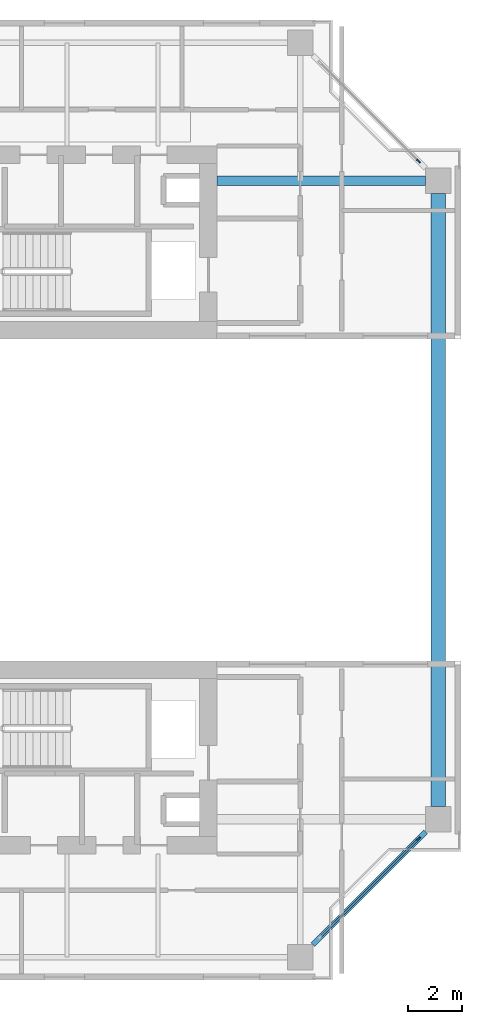
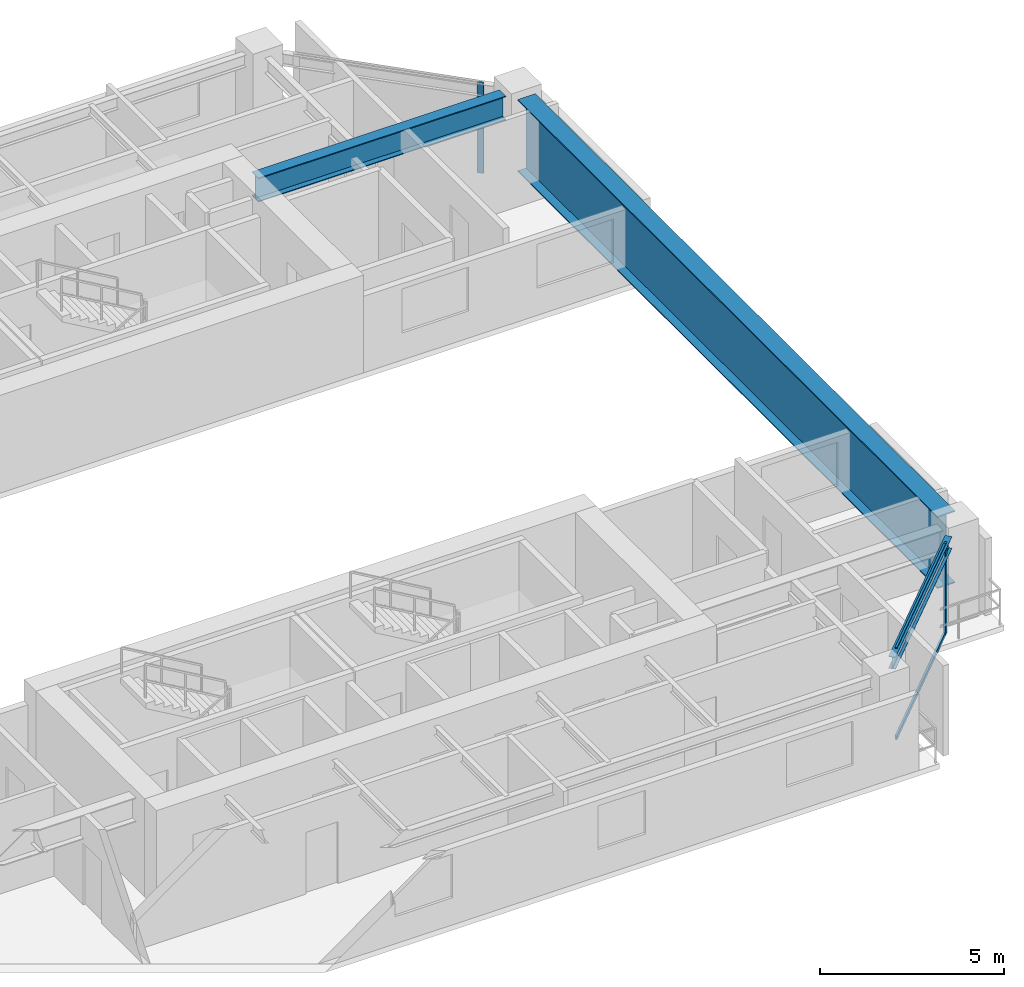
# One storey, part 4 of 12: 4 members, 3 beams, 2 elements without a shape of their own.
"""IFC4 building model written with IfcOpenShell, lengths in metres."""

from ifc_helpers import new_model, si_unit, direction, frame, origin, origin_2d, place, context, subcontext, project, spatial, rectangle, i_section, extrude, source, transform, mapped, material, layer, layer_set, material_profile, profile_set, type_object, element, aggregate, save


model = new_model("IFC4")

# Units and contexts
model_context = context("Model", 3, precision=1e-05, world=origin(), true_north=direction((0.0, 1.0)))
body_context = subcontext(model_context, "Body", "Model", "MODEL_VIEW")
ifc_project = project(units=[si_unit("LENGTHUNIT", "METRE"), si_unit("AREAUNIT", "SQUARE_METRE"), si_unit("VOLUMEUNIT", "CUBIC_METRE"), si_unit("PLANEANGLEUNIT", "RADIAN"), si_unit("MASSUNIT", "GRAM", prefix="KILO"), si_unit("THERMODYNAMICTEMPERATUREUNIT", "KELVIN"), si_unit("POWERUNIT", "WATT")], contexts=[model_context])

# Site, building, storey
site_placement = place(None, origin())
site = spatial("IfcSite", under=ifc_project, at=site_placement, CompositionType="ELEMENT")
building_placement = place(site_placement, origin())
building = spatial("IfcBuilding", under=site, at=building_placement, Name="Qiaomeng Ring Towers", CompositionType="ELEMENT")
storey_placement = place(building_placement, frame((0.0, 0.0, 169.75)))
storey = spatial("IfcBuildingStorey", under=building, at=storey_placement, Name="L49", CompositionType="ELEMENT", Elevation=169.75)

# Beams
ifc_material_1 = material(Name="Steel Q355B", Category="steel")
ifc_material_profile_1 = material_profile(ifc_material_1, i_section(OverallWidth=0.199951171875, OverallDepth=0.39990234375, WebThickness=0.008056640625, FlangeThickness=0.012939453125, FilletRadius=0.01611328125, at=origin_2d()), Name="HN 400x200x8x13")
ifc_profile_set_1 = profile_set([ifc_material_profile_1], Name="Steel Q355B")
beam_type_1 = type_object("IfcBeamType", Name="STR-BM-HN400", PredefinedType="SPANDREL", material=ifc_profile_set_1)
shared_shape_1 = source(origin(), body_context, "Body", "SweptSolid", [
    extrude(i_section(OverallWidth=0.199951171875, OverallDepth=0.39990234375, WebThickness=0.008056640625, FlangeThickness=0.012939453125, FilletRadius=0.01611328125, at=origin_2d()), origin(), (0.0, 0.0, 1.0), 5.941650390625),
])
beam_1_placement = place(storey_placement, frame((31.374267578125, 6.42431640625, 2.800048828125), z_axis=(0.707106781187, 0.707106781187, 0.0), x_axis=(-0.707106781187, 0.707106781187, 0.0)))
element("IfcBeam", 1, at=beam_1_placement, inside=storey, type_object=beam_type_1, Name="L49 beam STR-SP-L49-T1-S2-E1", PredefinedType="SPANDREL", context=body_context, shape_type="MappedRepresentation", body=[
    mapped(shared_shape_1, transform((0.0, 0.0, 0.0), x_axis=(1.0, 0.0, 0.0), y_axis=(0.0, 1.0, 0.0), z_axis=(0.0, 0.0, 1.0), scale=1.0)),
])
ifc_material_2 = material(Name="Steel Q390GJC", Category="steel")
ifc_material_profile_2 = material_profile(ifc_material_2, i_section(OverallWidth=0.35009765625, OverallDepth=0.800048828125, WebThickness=0.01611328125, FlangeThickness=0.028076171875, at=origin_2d()), Name="WH 800x350x16x28")
ifc_profile_set_2 = profile_set([ifc_material_profile_2], Name="Steel Q390GJC")
beam_type_2 = type_object("IfcBeamType", Name="STR-BM-WH800", PredefinedType="BEAM", material=ifc_profile_set_2)
shared_shape_2 = source(origin(), body_context, "Body", "SweptSolid", [
    extrude(i_section(OverallWidth=0.35009765625, OverallDepth=0.800048828125, WebThickness=0.01611328125, FlangeThickness=0.028076171875, at=origin_2d()), origin(), (0.0, 0.0, 1.0), 7.77587890625),
])
beam_2_placement = place(storey_placement, frame((27.800048828125, 34.89990234375, 2.60009765625), z_axis=(1.0, 0.0, 0.0), x_axis=(0.0, 1.0, 0.0)))
element("IfcBeam", 2, at=beam_2_placement, inside=storey, type_object=beam_type_2, Name="L49 beam STR-BM-L49-T1-RAD-E4", PredefinedType="BEAM", context=body_context, shape_type="MappedRepresentation", body=[
    mapped(shared_shape_2, transform((0.0, 0.0, 0.0), x_axis=(1.0, 0.0, 0.0), y_axis=(0.0, 1.0, 0.0), z_axis=(0.0, 0.0, 1.0), scale=1.0)),
])
ifc_material_profile_3 = material_profile(ifc_material_2, i_section(OverallWidth=0.550048828125, OverallDepth=2.39990234375, WebThickness=0.02587890625, FlangeThickness=0.035888671875, at=origin_2d()), Name="WH 2400x550x26x36")
ifc_profile_set_3 = profile_set([ifc_material_profile_3], Name="Steel Q390GJC")
beam_type_3 = type_object("IfcBeamType", Name="STR-TG-WH2400", PredefinedType="USERDEFINED", material=ifc_profile_set_3)
shared_shape_3 = source(origin(), body_context, "Body", "SweptSolid", [
    extrude(i_section(OverallWidth=0.550048828125, OverallDepth=2.39990234375, WebThickness=0.02587890625, FlangeThickness=0.035888671875, at=origin_2d()), origin(), (0.0, 0.0, 1.0), 22.85205078125),
])
beam_3_placement = place(storey_placement, frame((36.050048828125, 11.573974609375, 1.800048828125), z_axis=(0.0, 1.0, 0.0), x_axis=(-1.0, 0.0, 0.0)))
element("IfcBeam", 3, at=beam_3_placement, inside=storey, type_object=beam_type_3, Name="L49 Transfer Girder STR-PORTAL-TG-L49-E", ObjectType="TRANSFER GIRDER", PredefinedType="USERDEFINED", context=body_context, shape_type="MappedRepresentation", body=[
    mapped(shared_shape_3, transform((0.0, 0.0, 0.0), x_axis=(1.0, 0.0, 0.0), y_axis=(0.0, 1.0, 0.0), z_axis=(0.0, 0.0, 1.0), scale=1.0)),
])

# Curtain wall, members
ifc_material_3 = material(Name="Fluorocarbon dark-grey aluminium", Category="aluminium")
ifc_layer = layer(ifc_material_3, 0.14990234375, Name="Fluorocarbon dark-grey aluminium")
ifc_layer_set = layer_set([ifc_layer], Name="Fluorocarbon dark-grey aluminium")
curtain_wall_type = type_object("IfcCurtainWallType", Name="ARC-CW-3", PredefinedType="NOTDEFINED", material=ifc_layer_set)
curtain_wall_1_placement = place(storey_placement, origin())
curtain_wall_1 = element("IfcCurtainWall", 4, at=curtain_wall_1_placement, inside=storey, type_object=curtain_wall_type, Name="L49 Curtain Wall CW3", PredefinedType="NOTDEFINED")
ifc_material_profile_4 = material_profile(ifc_material_3, rectangle(XDim=0.06494140625, YDim=0.1298828125, at=origin_2d()), Name="ALU TRAN 65x130")
ifc_profile_set_4 = profile_set([ifc_material_profile_4], Name="Fluorocarbon dark-grey aluminium")
member_type_1 = type_object("IfcMemberType", Name="ARC-CWT-120", PredefinedType="USERDEFINED", material=ifc_profile_set_4)
shared_shape_4 = source(origin(), body_context, "Body", "SweptSolid", [
    extrude(rectangle(XDim=0.06494140625, YDim=0.1298828125, at=origin_2d()), origin(), (0.0, 0.0, 1.0), 5.12060546875),
])
member_1_placement = place(storey_placement, frame((31.66455078125, 6.714599609375, 0.032470703125), z_axis=(0.707106781187, 0.707106781187, 0.0), x_axis=(-0.707106781187, 0.707106781187, 0.0)))
member_1 = element("IfcMember", 5, at=member_1_placement, type_object=member_type_1, Name="CW3 transom 1.1", ObjectType="TRANSOM", PredefinedType="USERDEFINED", context=body_context, shape_type="MappedRepresentation", body=[
    mapped(shared_shape_4, transform((0.0, 0.0, 0.0), x_axis=(1.0, 0.0, 0.0), y_axis=(0.0, 1.0, 0.0), z_axis=(0.0, 0.0, 1.0), scale=1.0)),
])
member_2_placement = place(storey_placement, frame((31.66455078125, 6.714599609375, 2.967529296875), z_axis=(0.707106781187, 0.707106781187, 0.0), x_axis=(-0.707106781187, 0.707106781187, 0.0)))
member_2 = element("IfcMember", 6, at=member_2_placement, type_object=member_type_1, Name="CW3 transom 1.2", ObjectType="TRANSOM", PredefinedType="USERDEFINED", context=body_context, shape_type="MappedRepresentation", body=[
    mapped(shared_shape_4, transform((0.0, 0.0, 0.0), x_axis=(1.0, 0.0, 0.0), y_axis=(0.0, 1.0, 0.0), z_axis=(0.0, 0.0, 1.0), scale=1.0)),
])
ifc_material_profile_5 = material_profile(ifc_material_3, rectangle(XDim=0.070068359375, YDim=0.179931640625, at=origin_2d()), Name="ALU MULL 70x180")
ifc_profile_set_5 = profile_set([ifc_material_profile_5], Name="Fluorocarbon dark-grey aluminium")
member_type_2 = type_object("IfcMemberType", Name="ARC-CWM-160", PredefinedType="MULLION", material=ifc_profile_set_5)
shared_shape_5 = source(origin(), body_context, "Body", "SweptSolid", [
    extrude(rectangle(XDim=0.070068359375, YDim=0.179931640625, at=origin_2d()), origin(), (0.0, 0.0, 1.0), 3.0),
])
member_3_placement = place(storey_placement, frame((35.310302734375, 10.3603515625, 0.0), z_axis=(0.0, 0.0, 1.0), x_axis=(-0.707106781187, 0.707106781187, 0.0)))
member_3 = element("IfcMember", 7, at=member_3_placement, type_object=member_type_2, Name="CW3 mullion 2", PredefinedType="MULLION", context=body_context, shape_type="MappedRepresentation", body=[
    mapped(shared_shape_5, transform((0.0, 0.0, 0.0), x_axis=(1.0, 0.0, 0.0), y_axis=(0.0, 1.0, 0.0), z_axis=(0.0, 0.0, 1.0), scale=1.0)),
])
aggregate(curtain_wall_1, [member_3, member_1, member_2])

# Curtain wall, member
curtain_wall_2_placement = place(storey_placement, origin())
curtain_wall_2 = element("IfcCurtainWall", 8, at=curtain_wall_2_placement, inside=storey, type_object=curtain_wall_type, Name="L49 Curtain Wall CW3", PredefinedType="NOTDEFINED")
member_4_placement = place(storey_placement, frame((35.310302734375, 35.6396484375, 0.0), z_axis=(0.0, 0.0, 1.0), x_axis=(-0.707106781187, -0.707106781187, 0.0)))
member_4 = element("IfcMember", 9, at=member_4_placement, type_object=member_type_2, Name="CW3 mullion 1", PredefinedType="MULLION", context=body_context, shape_type="MappedRepresentation", body=[
    mapped(shared_shape_5, transform((0.0, 0.0, 0.0), x_axis=(1.0, 0.0, 0.0), y_axis=(0.0, 1.0, 0.0), z_axis=(0.0, 0.0, 1.0), scale=1.0)),
])
aggregate(curtain_wall_2, [member_4])

save(model, "model.ifc")
